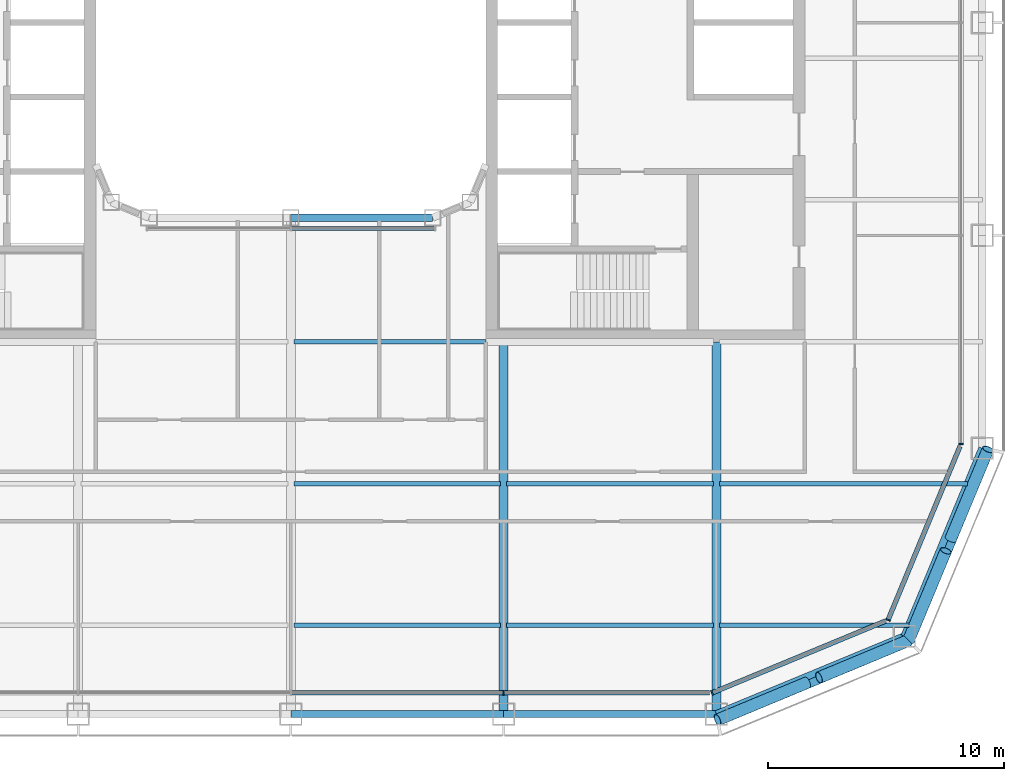
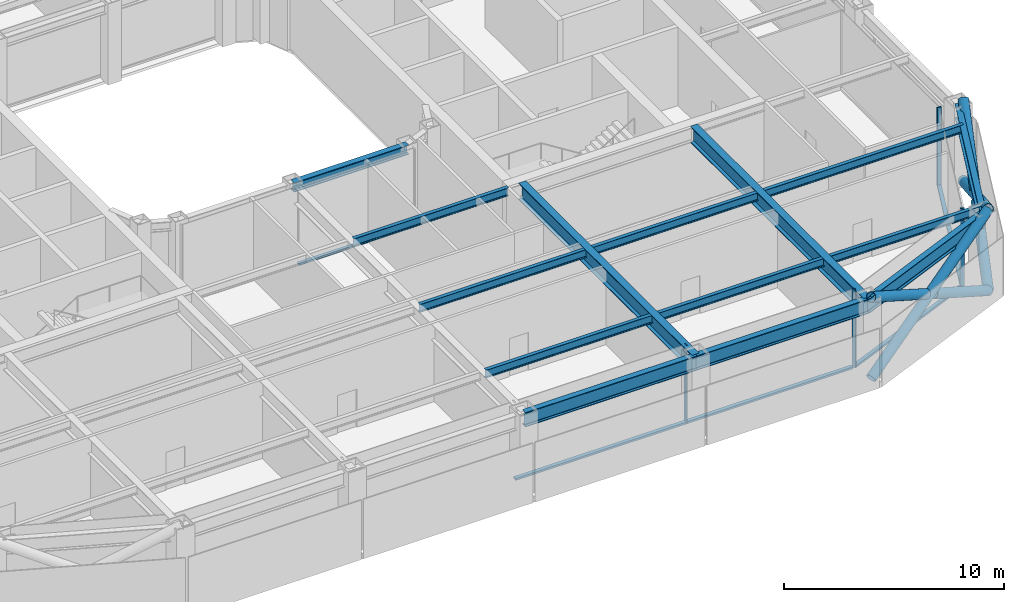
# One storey, part 4 of 23: 15 members, 14 beams, 5 elements without a shape of their own.
"""IFC4 building model written with IfcOpenShell, lengths in metres."""

import ifcopenshell
import ifcopenshell.guid

model = None  # the IFC model being written
_history = None  # IfcOwnerHistory: only IFC2X3 demands one
_inside = {}  # id of a spatial element -> (the spatial element, [elements in it])
_under = {}  # id of a project, library or spatial element -> (it, [spatial elements below it])
_declared = {}  # id of a project -> (the project, [libraries it declares])
_typed = {}  # id of a type object -> (the type object, [elements of that type])
_made_of = {}  # id of a material, layer set ... -> (it, [elements and type objects made of it])


def new_model(schema):
    """Start an empty IFC model of exactly this schema.

    Asked for "IFC4X3", IfcOpenShell would pick the latest addendum, in which some entities
    have other attributes; the version numbers below select the first issue.
    IFC2X3 requires an IfcOwnerHistory on every rooted entity: one is made here for all.
    """
    global model, _history
    if schema == "IFC4X3":
        model = ifcopenshell.file(schema_version=(4, 3, 0, 0))
    else:
        model = ifcopenshell.file(schema=schema)
    _inside.clear()
    _under.clear()
    _declared.clear()
    _typed.clear()
    _made_of.clear()
    _history = None
    if model.schema == "IFC2X3":
        org = make("IfcOrganization", Name="unknown")
        user = make(
            "IfcPersonAndOrganization",
            ThePerson=make("IfcPerson", FamilyName="unknown"),
            TheOrganization=org,
        )
        app = make(
            "IfcApplication",
            ApplicationDeveloper=org,
            Version="unknown",
            ApplicationFullName="unknown",
            ApplicationIdentifier="unknown",
        )
        _history = make(
            "IfcOwnerHistory",
            OwningUser=user,
            OwningApplication=app,
            ChangeAction="ADDED",
            CreationDate=0,
        )
    return model


def make(cls, **values):
    """One entity of the class cls with the attributes given. An attribute that is None is left unset."""
    return model.create_entity(
        cls, **{name: value for name, value in values.items() if value is not None}
    )


def rooted(cls, **values):
    """An entity with a GlobalId (a new one), such as an element, a storey or a relation."""
    return make(cls, GlobalId=ifcopenshell.guid.new(), OwnerHistory=_history, **values)


def si_unit(unit_type, name, prefix=None):
    """IfcSIUnit, for example si_unit("LENGTHUNIT", "METRE", prefix="MILLI")."""
    return make("IfcSIUnit", UnitType=unit_type, Prefix=prefix, Name=name)


def assignment(units):
    """IfcUnitAssignment: the units of a project."""
    return None if units is None else make("IfcUnitAssignment", Units=units)


def point(xyz):
    """IfcCartesianPoint."""
    return None if xyz is None else make("IfcCartesianPoint", Coordinates=xyz)


def direction(xyz):
    """IfcDirection."""
    return None if xyz is None else make("IfcDirection", DirectionRatios=xyz)


def frame(location, z_axis=None, x_axis=None):
    """IfcAxis2Placement3D, a coordinate frame: its origin and axes. An axis left out is left unset."""
    return make(
        "IfcAxis2Placement3D",
        Location=point(location),
        Axis=direction(z_axis),
        RefDirection=direction(x_axis),
    )


def frame_2d(location, x_axis=None):
    """IfcAxis2Placement2D, a coordinate frame in the plane: its origin and x axis."""
    return make(
        "IfcAxis2Placement2D", Location=point(location), RefDirection=direction(x_axis)
    )


def origin():
    """The frame at (0, 0, 0) with its axes left unset."""
    return frame((0.0, 0.0, 0.0))


def origin_2d():
    """The frame at (0, 0) in the plane with its x axis left unset."""
    return frame_2d((0.0, 0.0))


def place(relative_to, where):
    """IfcLocalPlacement: puts the frame where relative to a parent placement (None: the world)."""
    return make(
        "IfcLocalPlacement", PlacementRelTo=relative_to, RelativePlacement=where
    )


def context(
    kind, dimensions, precision=None, world=None, true_north=None, identifier=None
):
    """IfcGeometricRepresentationContext, for example the 3D "Model" context."""
    return make(
        "IfcGeometricRepresentationContext",
        ContextIdentifier=identifier,
        ContextType=kind,
        CoordinateSpaceDimension=dimensions,
        Precision=precision,
        WorldCoordinateSystem=world,
        TrueNorth=true_north,
    )


def subcontext(parent, identifier, kind, view, scale=None):
    """IfcGeometricRepresentationSubContext, for example "Body" below "Model"."""
    return make(
        "IfcGeometricRepresentationSubContext",
        ContextIdentifier=identifier,
        ContextType=kind,
        ParentContext=parent,
        TargetScale=scale,
        TargetView=view,
    )


def project(units=None, contexts=None):
    """IfcProject with its units and contexts."""
    return rooted(
        "IfcProject",
        Name="project",
        RepresentationContexts=contexts,
        UnitsInContext=assignment(units),
    )


def spatial(cls, under=None, at=None, **own):
    """A site, building, storey or space (cls), placed at a placement, below another one or the project."""
    s = rooted(cls, ObjectPlacement=at, **own)
    if under is not None:
        _under.setdefault(under.id(), (under, []))[1].append(s)
    return s


def profile(cls, at=None, kind="AREA", **sizes):
    """A parametric profile (cls). Its sizes go by their IFC names, for example OverallWidth=200.0."""
    return make(cls, ProfileType=kind, Position=at, **sizes)


def rectangle(**sizes):
    """IfcRectangleProfileDef."""
    return profile("IfcRectangleProfileDef", **sizes)


def hollow_circle(**sizes):
    """IfcCircleHollowProfileDef."""
    return profile("IfcCircleHollowProfileDef", **sizes)


def i_section(**sizes):
    """IfcIShapeProfileDef."""
    return profile("IfcIShapeProfileDef", **sizes)


def extrude(swept, where, along, depth):
    """IfcExtrudedAreaSolid: the profile swept, set in the frame where, extruded along a direction by depth."""
    return make(
        "IfcExtrudedAreaSolid",
        SweptArea=swept,
        Position=where,
        ExtrudedDirection=direction(along),
        Depth=depth,
    )


def shape(context_of_items, identifier, shape_type, items):
    """IfcShapeRepresentation: the items that make up one representation, for example the "Body"."""
    return make(
        "IfcShapeRepresentation",
        ContextOfItems=context_of_items,
        RepresentationIdentifier=identifier,
        RepresentationType=shape_type,
        Items=items,
    )


def material(Name=None, Category=None):
    """IfcMaterial."""
    return make("IfcMaterial", Name=Name, Category=Category)


def layer(
    of_material, thickness, ventilated=None, Name=None, Category=None, Priority=None
):
    """IfcMaterialLayer: one layer of a wall or slab, of a material (None: an air gap)."""
    return make(
        "IfcMaterialLayer",
        Material=of_material,
        LayerThickness=thickness,
        IsVentilated=ventilated,
        Name=Name,
        Category=Category,
        Priority=Priority,
    )


def layer_set(layers, Name=None):
    """IfcMaterialLayerSet."""
    return make("IfcMaterialLayerSet", MaterialLayers=layers, LayerSetName=Name)


def material_profile(
    of_material, cross_section, Name=None, Category=None, Priority=None
):
    """IfcMaterialProfile: a cross section and its material."""
    return make(
        "IfcMaterialProfile",
        Name=Name,
        Material=of_material,
        Profile=cross_section,
        Priority=Priority,
        Category=Category,
    )


def profile_set(profiles, Name=None, composite=None):
    """IfcMaterialProfileSet."""
    return make(
        "IfcMaterialProfileSet",
        Name=Name,
        MaterialProfiles=profiles,
        CompositeProfile=composite,
    )


def made_of(thing, what):
    """Note that an element or type object is made of a material, layer set ...; save() writes the relation."""
    if what is not None:
        _made_of.setdefault(what.id(), (what, []))[1].append(thing)
    return thing


def type_object(cls, material=None, **own):
    """A type object (cls), such as IfcWallType, which elements share."""
    return made_of(rooted(cls, **own), material)


def element(
    cls,
    number,
    at=None,
    inside=None,
    cuts=None,
    type_object=None,
    material=None,
    context=None,
    identifier="Body",
    shape_type=None,
    held_by="IfcProductDefinitionShape",
    body=None,
    shapes=None,
    **own,
):
    """One element of the class cls, such as IfcWall. Its Tag is "e" and its number.

    at: its placement. inside: the storey or other place that contains it. cuts: it is an
    opening in that element (IfcRelVoidsElement). A single representation is given by context,
    identifier, shape_type and body (its items); several are given by shapes. held_by: the class
    of the entity that holds the representations. save() writes the other relations.
    """
    e = rooted(cls, Tag="e%d" % number, ObjectPlacement=at, **own)
    if body is not None:
        shapes = [shape(context, identifier, shape_type, body)]
    if shapes is not None:
        e.Representation = make(held_by, Representations=shapes)
    if inside is not None:
        _inside.setdefault(inside.id(), (inside, []))[1].append(e)
    if cuts is not None:
        rooted(
            "IfcRelVoidsElement", RelatingBuildingElement=cuts, RelatedOpeningElement=e
        )
    if type_object is not None:
        _typed.setdefault(type_object.id(), (type_object, []))[1].append(e)
    return made_of(e, material)


def aggregate(whole, parts):
    """IfcRelAggregates: a whole, such as a stair, and the parts it consists of."""
    return rooted("IfcRelAggregates", RelatingObject=whole, RelatedObjects=parts)


def save(model, path):
    """Write the relations noted so far, then the file.

    IfcRelAggregates (storeys below a building ...), IfcRelContainedInSpatialStructure (elements
    in a storey), IfcRelDefinesByType, IfcRelAssociatesMaterial and IfcRelDeclares: one each for
    every whole, place, type object, material and project.
    """
    for whole, parts in _under.values():
        aggregate(whole, parts)
    for where, things in _inside.values():
        rooted(
            "IfcRelContainedInSpatialStructure",
            RelatedElements=things,
            RelatingStructure=where,
        )
    for kind, things in _typed.values():
        rooted("IfcRelDefinesByType", RelatedObjects=things, RelatingType=kind)
    for what, things in _made_of.values():
        rooted("IfcRelAssociatesMaterial", RelatedObjects=things, RelatingMaterial=what)
    for by, libraries in _declared.values():
        rooted("IfcRelDeclares", RelatingContext=by, RelatedDefinitions=libraries)
    model.write(path)


model = new_model("IFC4")

# Units and contexts
model_context = context("Model", 3, precision=1e-05, world=origin(), true_north=direction((0.0, 1.0)))
body_context = subcontext(model_context, "Body", "Model", "MODEL_VIEW")
ifc_project = project(units=[si_unit("LENGTHUNIT", "METRE"), si_unit("AREAUNIT", "SQUARE_METRE"), si_unit("VOLUMEUNIT", "CUBIC_METRE"), si_unit("PLANEANGLEUNIT", "RADIAN"), si_unit("MASSUNIT", "GRAM", prefix="KILO")], contexts=[model_context])

# Site, building, storey
site_placement = place(None, origin())
site = spatial("IfcSite", under=ifc_project, at=site_placement, CompositionType="ELEMENT")
building_placement = place(site_placement, origin())
building = spatial("IfcBuilding", under=site, at=building_placement, Name="Siwar Civic Tower", CompositionType="ELEMENT")
storey_placement = place(building_placement, frame((0.0, 0.0, 136.199951171875)))
storey = spatial("IfcBuildingStorey", under=building, at=storey_placement, Name="L29", CompositionType="ELEMENT", Elevation=136.199951171875)

# Curtain wall, member
ifc_material_1 = material(Name="Aluminium and glass", Category="aluminium")
ifc_layer_1 = layer(ifc_material_1, 0.199951171875)
ifc_layer_set_1 = layer_set([ifc_layer_1], Name="Aluminium and glass")
curtain_wall_type_1 = type_object("IfcCurtainWallType", Name="ENV-CW-B", PredefinedType="NOTDEFINED", material=ifc_layer_set_1)
curtain_wall_1_placement = place(storey_placement, origin())
curtain_wall_1 = element("IfcCurtainWall", 1, at=curtain_wall_1_placement, inside=storey, type_object=curtain_wall_type_1, Name="Curtain wall B S", PredefinedType="NOTDEFINED")
ifc_material_2 = material(Name="Aluminium 6063-T6", Category="aluminium")
ifc_material_profile_1 = material_profile(ifc_material_2, rectangle(XDim=0.199951171875, YDim=0.06494140625, at=origin_2d()), Name="AL 200x65")
ifc_profile_set_1 = profile_set([ifc_material_profile_1], Name="Aluminium 6063-T6")
member_type_1 = type_object("IfcMemberType", Name="ENV-MULLION-B", PredefinedType="MULLION", material=ifc_profile_set_1)
member_1_placement = place(storey_placement, frame((9.0, -28.35009765625, 0.0), z_axis=(0.0, 0.0, 1.0), x_axis=(0.0, 1.0, 0.0)))
member_1 = element("IfcMember", 2, at=member_1_placement, type_object=member_type_1, Name="Mullion B S 4", PredefinedType="MULLION", context=body_context, shape_type="SweptSolid", body=[
    extrude(rectangle(XDim=0.199951171875, YDim=0.06494140625, at=origin_2d()), origin(), (0.0, 0.0, 1.0), 4.35009765625),
])

ifc_material_3 = material(Name="Aluminium clad insulated panel", Category="aluminium")
ifc_layer_2 = layer(ifc_material_3, 0.199951171875)
ifc_layer_set_2 = layer_set([ifc_layer_2], Name="Aluminium clad insulated panel")
curtain_wall_type_2 = type_object("IfcCurtainWallType", Name="ENV-CW-BX", PredefinedType="NOTDEFINED", material=ifc_layer_set_2)
curtain_wall_2_placement = place(storey_placement, origin())
curtain_wall_2 = element("IfcCurtainWall", 3, at=curtain_wall_2_placement, inside=storey, type_object=curtain_wall_type_2, Name="Curtain wall B SE1", PredefinedType="NOTDEFINED")
member_2_placement = place(storey_placement, frame((17.821044921875, -28.35009765625, 0.0), z_axis=(0.0, 0.0, 1.0), x_axis=(-0.382683432365, 0.923879532511, 0.0)))
member_2 = element("IfcMember", 4, at=member_2_placement, type_object=member_type_1, Name="Mullion B SE1 1", PredefinedType="MULLION", context=body_context, shape_type="SweptSolid", body=[
    extrude(rectangle(XDim=0.199951171875, YDim=0.06494140625, at=origin_2d()), origin(), (0.0, 0.0, 1.0), 4.35009765625),
])

curtain_wall_3_placement = place(storey_placement, origin())
curtain_wall_3 = element("IfcCurtainWall", 5, at=curtain_wall_3_placement, inside=storey, type_object=curtain_wall_type_2, Name="Curtain wall B SE2", PredefinedType="NOTDEFINED")
member_3_placement = place(storey_placement, frame((25.26611328125, -25.26611328125, 0.0), z_axis=(0.0, 0.0, 1.0), x_axis=(-0.923879532511, 0.382683432365, 0.0)))
member_3 = element("IfcMember", 6, at=member_3_placement, type_object=member_type_1, Name="Mullion B SE2 1", PredefinedType="MULLION", context=body_context, shape_type="SweptSolid", body=[
    extrude(rectangle(XDim=0.199951171875, YDim=0.06494140625, at=origin_2d()), origin(), (0.0, 0.0, 1.0), 4.35009765625),
])

curtain_wall_4_placement = place(storey_placement, origin())
curtain_wall_4 = element("IfcCurtainWall", 7, at=curtain_wall_4_placement, inside=storey, type_object=curtain_wall_type_1, Name="Curtain wall B E", PredefinedType="NOTDEFINED")
member_4_placement = place(storey_placement, frame((28.35009765625, -17.821044921875, 0.0), z_axis=(0.0, 0.0, 1.0), x_axis=(-1.0, 0.0, 0.0)))
member_4 = element("IfcMember", 8, at=member_4_placement, type_object=member_type_1, Name="Mullion B E 1", PredefinedType="MULLION", context=body_context, shape_type="SweptSolid", body=[
    extrude(rectangle(XDim=0.199951171875, YDim=0.06494140625, at=origin_2d()), origin(), (0.0, 0.0, 1.0), 4.35009765625),
])
aggregate(curtain_wall_4, [member_4])

# Member
ifc_material_4 = material(Name="Aluminium 6063-T6", Category="aluminium")
ifc_material_profile_2 = material_profile(ifc_material_4, rectangle(XDim=0.199951171875, YDim=0.110107421875, at=origin_2d()), Name="AL 200x110")
ifc_profile_set_2 = profile_set([ifc_material_profile_2], Name="Aluminium 6063-T6")
member_type_2 = type_object("IfcMemberType", Name="ENV-TRANSOM-B", PredefinedType="USERDEFINED", material=ifc_profile_set_2)
member_5_placement = place(storey_placement, frame((0.032470703125, -28.35009765625, 0.054931640625), z_axis=(1.0, 0.0, 0.0), x_axis=(0.0, 1.0, 0.0)))
member_5 = element("IfcMember", 9, at=member_5_placement, type_object=member_type_2, Name="Transom B S 3", ObjectType="TRANSOM", PredefinedType="USERDEFINED", context=body_context, shape_type="SweptSolid", body=[
    extrude(rectangle(XDim=0.199951171875, YDim=0.110107421875, at=origin_2d()), origin(), (0.0, 0.0, 1.0), 8.93505859375),
])

member_6_placement = place(storey_placement, frame((9.032470703125, -28.35009765625, 0.054931640625), z_axis=(1.0, 0.0, 0.0), x_axis=(0.0, 1.0, 0.0)))
member_6 = element("IfcMember", 10, at=member_6_placement, type_object=member_type_2, Name="Transom B S 4", ObjectType="TRANSOM", PredefinedType="USERDEFINED", context=body_context, shape_type="SweptSolid", body=[
    extrude(rectangle(XDim=0.199951171875, YDim=0.110107421875, at=origin_2d()), origin(), (0.0, 0.0, 1.0), 8.6748046875),
])

aggregate(curtain_wall_1, [member_1, member_5, member_6])

member_7_placement = place(storey_placement, frame((17.85107421875, -28.337646484375, 0.054931640625), z_axis=(0.92387279587, 0.382699695651, 0.0), x_axis=(-0.382699695651, 0.92387279587, 0.0)))
member_7 = element("IfcMember", 11, at=member_7_placement, type_object=member_type_2, Name="Transom B SE1 1", ObjectType="TRANSOM", PredefinedType="USERDEFINED", context=body_context, shape_type="SweptSolid", body=[
    extrude(rectangle(XDim=0.199951171875, YDim=0.110107421875, at=origin_2d()), origin(), (0.0, 0.0, 1.0), 7.912353515625),
])

aggregate(curtain_wall_2, [member_2, member_7])

member_8_placement = place(storey_placement, frame((25.278564453125, -25.236083984375, 0.054931640625), z_axis=(0.382673358825, 0.923883705044, 0.0), x_axis=(-0.923883705044, 0.382673358825, 0.0)))
member_8 = element("IfcMember", 12, at=member_8_placement, type_object=member_type_2, Name="Transom B SE2 1", ObjectType="TRANSOM", PredefinedType="USERDEFINED", context=body_context, shape_type="SweptSolid", body=[
    extrude(rectangle(XDim=0.199951171875, YDim=0.110107421875, at=origin_2d()), origin(), (0.0, 0.0, 1.0), 7.912353515625),
])

aggregate(curtain_wall_3, [member_3, member_8])

# Curtain wall, member
ifc_material_5 = material(Name="Aluminium and glass", Category="aluminium")
ifc_layer_3 = layer(ifc_material_5, 0.179931640625)
ifc_layer_set_3 = layer_set([ifc_layer_3], Name="Aluminium and glass")
curtain_wall_type_3 = type_object("IfcCurtainWallType", Name="ENV-CW-W", PredefinedType="NOTDEFINED", material=ifc_layer_set_3)
curtain_wall_5_placement = place(storey_placement, origin())
curtain_wall_5 = element("IfcCurtainWall", 13, at=curtain_wall_5_placement, inside=storey, type_object=curtain_wall_type_3, Name="Curtain wall W WS", PredefinedType="NOTDEFINED")
ifc_material_6 = material(Name="Aluminium 6063-T6", Category="aluminium")
ifc_material_profile_3 = material_profile(ifc_material_6, rectangle(XDim=0.179931640625, YDim=0.10009765625, at=origin_2d()), Name="AL 180x100")
ifc_profile_set_3 = profile_set([ifc_material_profile_3], Name="Aluminium 6063-T6")
member_type_3 = type_object("IfcMemberType", Name="ENV-TRANSOM-W", PredefinedType="USERDEFINED", material=ifc_profile_set_3)
member_9_placement = place(storey_placement, frame((0.030029296875, -8.7099609375, 0.050048828125), z_axis=(1.0, 0.0, 0.0), x_axis=(0.0, 1.0, 0.0)))
member_9 = element("IfcMember", 14, at=member_9_placement, type_object=member_type_3, Name="Transom W WS 2", ObjectType="TRANSOM", PredefinedType="USERDEFINED", context=body_context, shape_type="SweptSolid", body=[
    extrude(rectangle(XDim=0.179931640625, YDim=0.10009765625, at=origin_2d()), origin(), (0.0, 0.0, 1.0), 6.031494140625),
])
aggregate(curtain_wall_5, [member_9])

# Members
ifc_material_7 = material(Name="Steel S355", Category="steel")
ifc_material_profile_4 = material_profile(ifc_material_7, hollow_circle(Radius=0.25390625, WallThickness=0.02490234375, at=origin_2d()), Name="CHS508x25")
ifc_profile_set_4 = profile_set([ifc_material_profile_4], Name="Steel S355")
member_type_4 = type_object("IfcMemberType", Name="STR-BR-CHS508x25", PredefinedType="BRACE", material=ifc_profile_set_4)
member_10_placement = place(storey_placement, frame((29.4951171875, -18.048828125, 0.0), z_axis=(-0.341671493852, -0.821142553604, 0.457149315816), x_axis=(0.923264922524, -0.384163874976, 0.0)))
element("IfcMember", 15, at=member_10_placement, inside=storey, type_object=member_type_4, Name="L29/brc/BSE1-8-0-1", PredefinedType="BRACE", context=body_context, shape_type="SweptSolid", body=[
    extrude(hollow_circle(Radius=0.25390625, WallThickness=0.02490234375, at=origin_2d()), origin(), (0.0, 0.0, 1.0), 9.843505859375),
])
member_11_placement = place(storey_placement, frame((26.1318359375, -26.1318359375, 0.0), z_axis=(0.341662474736, 0.821143275065, 0.457154760636), x_axis=(-0.923268638995, 0.384154943021, 0.0)))
element("IfcMember", 16, at=member_11_placement, inside=storey, type_object=member_type_4, Name="L29/brc/BSE1-8-0-2", PredefinedType="BRACE", context=body_context, shape_type="SweptSolid", body=[
    extrude(hollow_circle(Radius=0.25390625, WallThickness=0.02490234375, at=origin_2d()), origin(), (0.0, 0.0, 1.0), 4.61474609375),
])
member_12_placement = place(storey_placement, frame((27.91845703125, -21.837890625, 2.390625), z_axis=(0.34168558233, 0.821145902409, 0.457132770413), x_axis=(-0.923259859753, 0.384176042158, 0.0)))
element("IfcMember", 17, at=member_12_placement, inside=storey, type_object=member_type_4, Name="L29/brc/BSE1-8-0-3", PredefinedType="BRACE", context=body_context, shape_type="SweptSolid", body=[
    extrude(hollow_circle(Radius=0.25390625, WallThickness=0.02490234375, at=origin_2d()), origin(), (0.0, 0.0, 1.0), 4.6142578125),
])
member_13_placement = place(storey_placement, frame((18.048828125, -29.4951171875, 0.0), z_axis=(0.821142553604, 0.341671493852, 0.457149315816), x_axis=(-0.384163874976, 0.923264922524, 0.0)))
element("IfcMember", 18, at=member_13_placement, inside=storey, type_object=member_type_4, Name="L29/brc/BSE1-8-0-0", PredefinedType="BRACE", context=body_context, shape_type="SweptSolid", body=[
    extrude(hollow_circle(Radius=0.25390625, WallThickness=0.02490234375, at=origin_2d()), origin(), (0.0, 0.0, 1.0), 9.843505859375),
])
member_14_placement = place(storey_placement, frame((26.1318359375, -26.1318359375, 0.0), z_axis=(-0.821143275065, -0.341662474736, 0.457154760636), x_axis=(0.384154943021, -0.923268638995, 0.0)))
element("IfcMember", 19, at=member_14_placement, inside=storey, type_object=member_type_4, Name="L29/brc/BSE1-8-0-4", PredefinedType="BRACE", context=body_context, shape_type="SweptSolid", body=[
    extrude(hollow_circle(Radius=0.25390625, WallThickness=0.02490234375, at=origin_2d()), origin(), (0.0, 0.0, 1.0), 4.61474609375),
])
member_15_placement = place(storey_placement, frame((21.837890625, -27.91845703125, 2.390625), z_axis=(-0.821145902409, -0.34168558233, 0.457132770413), x_axis=(0.384176042158, -0.923259859753, 0.0)))
element("IfcMember", 20, at=member_15_placement, inside=storey, type_object=member_type_4, Name="L29/brc/BSE1-8-0-5", PredefinedType="BRACE", context=body_context, shape_type="SweptSolid", body=[
    extrude(hollow_circle(Radius=0.25390625, WallThickness=0.02490234375, at=origin_2d()), origin(), (0.0, 0.0, 1.0), 4.6142578125),
])

# Beams
ifc_material_8 = material(Name="Steel S355", Category="steel")
ifc_material_profile_5 = material_profile(ifc_material_8, i_section(OverallWidth=0.18994140625, OverallDepth=0.449951171875, WebThickness=0.009521484375, FlangeThickness=0.0146484375, FilletRadius=0.02099609375, at=origin_2d()), Name="IPE450")
ifc_profile_set_5 = profile_set([ifc_material_profile_5], Name="Steel S355")
beam_type_1 = type_object("IfcBeamType", Name="STR-FB-IPE450", PredefinedType="JOIST", material=ifc_profile_set_5)
for number, where, z_axis, x_axis, name in (
    (21, (0.1298828125, -25.5, 4.125), (1.0, 0.0, 0.0), (0.0, 1.0, 0.0), "L29/bm/F004"),
    (22, (9.1298828125, -25.5, 4.125), (1.0, 0.0, 0.0), (0.0, 1.0, 0.0), "L29/bm/F005"),
):
    element("IfcBeam", number, at=place(storey_placement, frame(where, z_axis=z_axis, x_axis=x_axis)), inside=storey, type_object=beam_type_1, Name=name, PredefinedType="JOIST", context=body_context, shape_type="SweptSolid", body=[
        extrude(i_section(OverallWidth=0.18994140625, OverallDepth=0.449951171875, WebThickness=0.009521484375, FlangeThickness=0.0146484375, FilletRadius=0.02099609375, at=origin_2d()), origin(), (0.0, 0.0, 1.0), 8.740234375),
    ])
beam_1_placement = place(storey_placement, frame((18.1298828125, -25.5, 4.125), z_axis=(1.0, 0.0, 0.0), x_axis=(0.0, 1.0, 0.0)))
element("IfcBeam", 23, at=beam_1_placement, inside=storey, type_object=beam_type_1, Name="L29/bm/F006", PredefinedType="JOIST", context=body_context, shape_type="SweptSolid", body=[
    extrude(i_section(OverallWidth=0.18994140625, OverallDepth=0.449951171875, WebThickness=0.009521484375, FlangeThickness=0.0146484375, FilletRadius=0.02099609375, at=origin_2d()), origin(), (0.0, 0.0, 1.0), 8.013427734375),
])
for number, where, z_axis, x_axis, name in (
    (24, (0.1298828125, -19.5, 4.125), (1.0, 0.0, 0.0), (0.0, 1.0, 0.0), "L29/bm/F010"),
    (25, (9.1298828125, -19.5, 4.125), (1.0, 0.0, 0.0), (0.0, 1.0, 0.0), "L29/bm/F011"),
):
    element("IfcBeam", number, at=place(storey_placement, frame(where, z_axis=z_axis, x_axis=x_axis)), inside=storey, type_object=beam_type_1, Name=name, PredefinedType="JOIST", context=body_context, shape_type="SweptSolid", body=[
        extrude(i_section(OverallWidth=0.18994140625, OverallDepth=0.449951171875, WebThickness=0.009521484375, FlangeThickness=0.0146484375, FilletRadius=0.02099609375, at=origin_2d()), origin(), (0.0, 0.0, 1.0), 8.740234375),
    ])
beam_2_placement = place(storey_placement, frame((18.1298828125, -19.5, 4.125), z_axis=(1.0, 0.0, 0.0), x_axis=(0.0, 1.0, 0.0)))
element("IfcBeam", 26, at=beam_2_placement, inside=storey, type_object=beam_type_1, Name="L29/bm/F012", PredefinedType="JOIST", context=body_context, shape_type="SweptSolid", body=[
    extrude(i_section(OverallWidth=0.18994140625, OverallDepth=0.449951171875, WebThickness=0.009521484375, FlangeThickness=0.0146484375, FilletRadius=0.02099609375, at=origin_2d()), origin(), (0.0, 0.0, 1.0), 10.498779296875),
])
beam_3_placement = place(storey_placement, frame((0.1298828125, -13.5, 4.125), z_axis=(1.0, 0.0, 0.0), x_axis=(0.0, 1.0, 0.0)))
element("IfcBeam", 27, at=beam_3_placement, inside=storey, type_object=beam_type_1, Name="L29/bm/F017", PredefinedType="JOIST", context=body_context, shape_type="SweptSolid", body=[
    extrude(i_section(OverallWidth=0.18994140625, OverallDepth=0.449951171875, WebThickness=0.009521484375, FlangeThickness=0.0146484375, FilletRadius=0.02099609375, at=origin_2d()), origin(), (0.0, 0.0, 1.0), 8.1201171875),
])
ifc_material_9 = material(Name="Steel S355", Category="steel")
ifc_material_profile_6 = material_profile(ifc_material_9, i_section(OverallWidth=0.3798828125, OverallDepth=0.89990234375, WebThickness=0.01611328125, FlangeThickness=0.035888671875, at=origin_2d()), Name="PG900x380x16x36")
ifc_profile_set_6 = profile_set([ifc_material_profile_6], Name="Steel S355")
beam_type_2 = type_object("IfcBeamType", Name="STR-PG-PG900x380x16x36", PredefinedType="BEAM", material=ifc_profile_set_6)
for number, where, z_axis, x_axis, name in (
    (28, (9.0, -29.25, 3.900146484375), (0.0, 1.0, 0.0), (-1.0, 0.0, 0.0), "L29/bm/G07"),
    (29, (18.0, -29.25, 3.900146484375), (0.0, 1.0, 0.0), (-1.0, 0.0, 0.0), "L29/bm/G09"),
):
    element("IfcBeam", number, at=place(storey_placement, frame(where, z_axis=z_axis, x_axis=x_axis)), inside=storey, type_object=beam_type_2, Name=name, PredefinedType="BEAM", context=body_context, shape_type="SweptSolid", body=[
        extrude(i_section(OverallWidth=0.3798828125, OverallDepth=0.89990234375, WebThickness=0.01611328125, FlangeThickness=0.035888671875, at=origin_2d()), origin(), (0.0, 0.0, 1.0), 15.75),
    ])
ifc_material_10 = material(Name="Steel S355", Category="steel")
ifc_material_profile_7 = material_profile(ifc_material_10, i_section(OverallWidth=0.305908203125, OverallDepth=0.52392578125, WebThickness=0.02099609375, FlangeThickness=0.0400390625, FilletRadius=0.027099609375, at=origin_2d()), Name="HEM500")
ifc_profile_set_7 = profile_set([ifc_material_profile_7], Name="Steel S355")
beam_type_3 = type_object("IfcBeamType", Name="STR-RB-HEM500", PredefinedType="BEAM", material=ifc_profile_set_7)
beam_4_placement = place(storey_placement, frame((0.0, -8.25, 4.088134765625), z_axis=(1.0, 0.0, 0.0), x_axis=(0.0, 1.0, 0.0)))
element("IfcBeam", 30, at=beam_4_placement, inside=storey, type_object=beam_type_3, Name="L29/bm/RS2", PredefinedType="BEAM", context=body_context, shape_type="SweptSolid", body=[
    extrude(i_section(OverallWidth=0.305908203125, OverallDepth=0.52392578125, WebThickness=0.02099609375, FlangeThickness=0.0400390625, FilletRadius=0.027099609375, at=origin_2d()), origin(), (0.0, 0.0, 1.0), 6.0),
])
ifc_material_11 = material(Name="Steel S355", Category="steel")
ifc_material_profile_8 = material_profile(ifc_material_11, i_section(OverallWidth=0.300048828125, OverallDepth=0.800048828125, WebThickness=0.017578125, FlangeThickness=0.032958984375, FilletRadius=0.030029296875, at=origin_2d()), Name="HEB800")
ifc_profile_set_8 = profile_set([ifc_material_profile_8], Name="Steel S355")
beam_type_4 = type_object("IfcBeamType", Name="STR-SB-HEB800", PredefinedType="BEAM", material=ifc_profile_set_8)
for number, where, z_axis, x_axis, name in (
    (31, (0.0, -29.25, 3.949951171875), (1.0, 0.0, 0.0), (0.0, 1.0, 0.0), "L29/bm/SS-2"),
    (32, (9.0, -29.25, 3.949951171875), (1.0, 0.0, 0.0), (0.0, 1.0, 0.0), "L29/bm/SS-3"),
):
    element("IfcBeam", number, at=place(storey_placement, frame(where, z_axis=z_axis, x_axis=x_axis)), inside=storey, type_object=beam_type_4, Name=name, PredefinedType="BEAM", context=body_context, shape_type="SweptSolid", body=[
        extrude(i_section(OverallWidth=0.300048828125, OverallDepth=0.800048828125, WebThickness=0.017578125, FlangeThickness=0.032958984375, FilletRadius=0.030029296875, at=origin_2d()), origin(), (0.0, 0.0, 1.0), 9.0),
    ])
for number, where, z_axis, x_axis, name in (
    (33, (18.0, -29.25, 3.949951171875), (0.923872720536, 0.382699877515, 0.0), (-0.382699877515, 0.923872720536, 0.0), "L29/bm/SSE1-0"),
    (34, (25.954833984375, -25.954833984375, 3.949951171875), (0.382699877515, 0.923872720536, 0.0), (-0.923872720536, 0.382699877515, 0.0), "L29/bm/SSE2-0"),
):
    element("IfcBeam", number, at=place(storey_placement, frame(where, z_axis=z_axis, x_axis=x_axis)), inside=storey, type_object=beam_type_4, Name=name, PredefinedType="BEAM", context=body_context, shape_type="SweptSolid", body=[
        extrude(i_section(OverallWidth=0.300048828125, OverallDepth=0.800048828125, WebThickness=0.017578125, FlangeThickness=0.032958984375, FilletRadius=0.030029296875, at=origin_2d()), origin(), (0.0, 0.0, 1.0), 8.6103515625),
    ])

save(model, "model.ifc")
